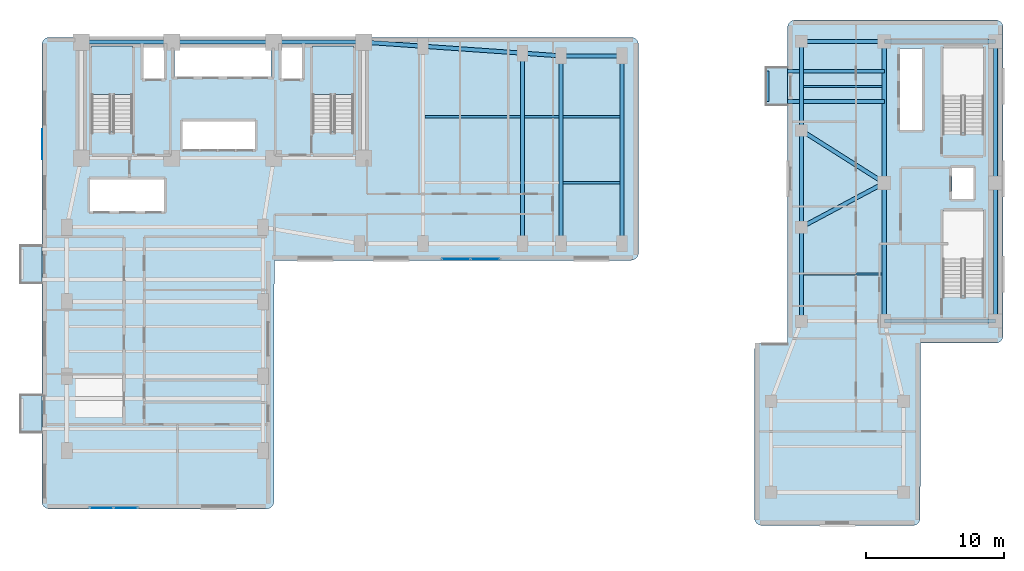
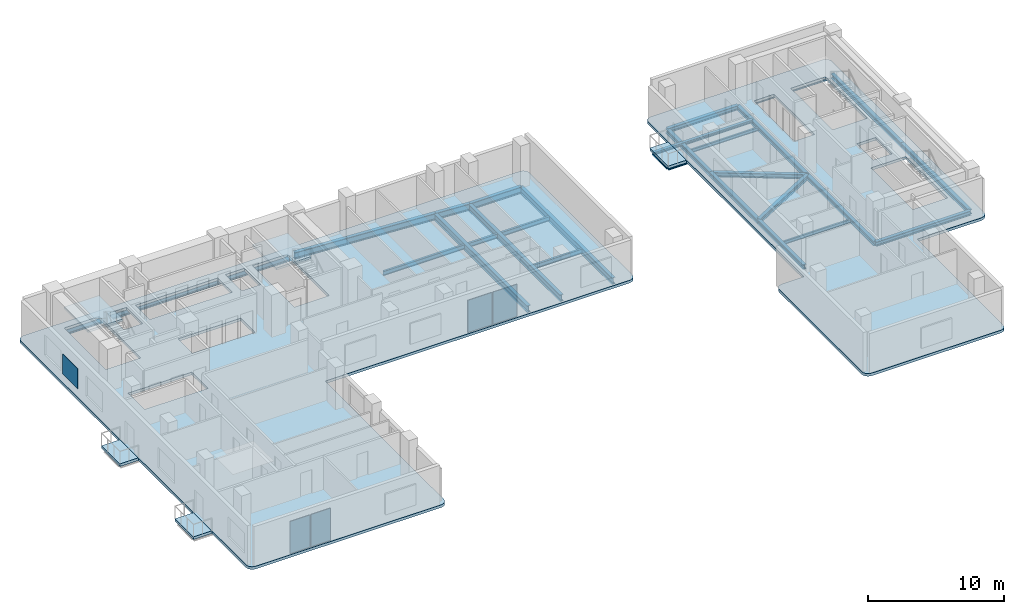
# One storey, part 7 of 16: 31 beams, 7 slabs, 5 plates, 4 elements without a shape of their own.
"""IFC4 building model written with IfcOpenShell, lengths in metres."""

from ifc_helpers import new_model, si_unit, direction, frame, origin, origin_2d, place, context, subcontext, project, spatial, polyline, rectangle, i_section, outline, extrude, material, layer, layer_set, material_profile, profile_set, type_object, element, aggregate, save


model = new_model("IFC4")

# Units and contexts
model_context = context("Model", 3, precision=1e-05, world=origin(), true_north=direction((0.0, 1.0)))
body_context = subcontext(model_context, "Body", "Model", "MODEL_VIEW")
ifc_project = project(units=[si_unit("LENGTHUNIT", "METRE"), si_unit("AREAUNIT", "SQUARE_METRE"), si_unit("VOLUMEUNIT", "CUBIC_METRE"), si_unit("PLANEANGLEUNIT", "RADIAN"), si_unit("MASSUNIT", "GRAM", prefix="KILO")], contexts=[model_context])

# Site, building, storey
site_placement = place(None, origin())
site = spatial("IfcSite", under=ifc_project, at=site_placement, CompositionType="ELEMENT")
building_placement = place(site_placement, origin())
building = spatial("IfcBuilding", under=site, at=building_placement, Name="Kuzgunbayir Cultural Tower", CompositionType="ELEMENT")
storey_placement = place(building_placement, frame((0.0, 0.0, 75.60009765625)))
storey = spatial("IfcBuildingStorey", under=building, at=storey_placement, Name="L21", CompositionType="ELEMENT", Elevation=75.60009765625)

# Beams
ifc_material_1 = material(Name="Steel S355J2", Category="steel")
ifc_material_profile_1 = material_profile(ifc_material_1, i_section(OverallWidth=0.260009765625, OverallDepth=0.260009765625, WebThickness=0.010009765625, FlangeThickness=0.017578125, FilletRadius=0.02392578125, at=origin_2d()), Name="HEB 260")
ifc_profile_set_1 = profile_set([ifc_material_profile_1], Name="Steel S355J2")
beam_type_1 = type_object("IfcBeamType", Name="BM-BAL-HEB260", PredefinedType="BEAM", material=ifc_profile_set_1)
for number, where, z_axis, x_axis, name in (
    (1, (56.159912109375, 37.89990234375, -0.3701171875), (1.0, 0.0, 0.0), (0.0, 1.0, 0.0), "L21 Companion Balcony Outrigger BAL-L21-T2W3.1"),
    (2, (56.159912109375, 40.10009765625, -0.3701171875), (1.0, 0.0, 0.0), (0.0, 1.0, 0.0), "L21 Companion Balcony Outrigger BAL-L21-T2W3.2"),
):
    element("IfcBeam", number, at=place(storey_placement, frame(where, z_axis=z_axis, x_axis=x_axis)), inside=storey, type_object=beam_type_1, Name=name, PredefinedType="BEAM", context=body_context, shape_type="SweptSolid", body=[
        extrude(i_section(OverallWidth=0.260009765625, OverallDepth=0.260009765625, WebThickness=0.010009765625, FlangeThickness=0.017578125, FilletRadius=0.02392578125, at=origin_2d()), origin(), (0.0, 0.0, 1.0), 8.440185546875),
    ])
ifc_material_profile_2 = material_profile(ifc_material_1, i_section(OverallWidth=0.199951171875, OverallDepth=0.199951171875, WebThickness=0.009033203125, FlangeThickness=0.014892578125, FilletRadius=0.01806640625, at=origin_2d()), Name="HEB 200")
ifc_profile_set_2 = profile_set([ifc_material_profile_2], Name="Steel S355J2")
beam_type_2 = type_object("IfcBeamType", Name="BM-CAN-HEB200", PredefinedType="BEAM", material=ifc_profile_set_2)
beam_1_placement = place(storey_placement, frame((56.159912109375, 37.89990234375, -0.340087890625), z_axis=(0.0, 1.0, 0.0), x_axis=(-1.0, 0.0, 0.0)))
element("IfcBeam", 3, at=beam_1_placement, inside=storey, type_object=beam_type_2, Name="L21 Companion Balcony Header BAL-L21-T2W3", PredefinedType="BEAM", context=body_context, shape_type="SweptSolid", body=[
    extrude(i_section(OverallWidth=0.199951171875, OverallDepth=0.199951171875, WebThickness=0.009033203125, FlangeThickness=0.014892578125, FilletRadius=0.01806640625, at=origin_2d()), origin(), (0.0, 0.0, 1.0), 2.2001953125),
])
ifc_material_profile_3 = material_profile(ifc_material_1, i_section(OverallWidth=0.300048828125, OverallDepth=0.39990234375, WebThickness=0.013427734375, FlangeThickness=0.02392578125, FilletRadius=0.027099609375, at=origin_2d()), Name="HEB 400")
ifc_profile_set_3 = profile_set([ifc_material_profile_3], Name="Steel S355J2")
beam_type_3 = type_object("IfcBeamType", Name="BM-EXT-HEB400", PredefinedType="BEAM", material=ifc_profile_set_3)
beam_2_placement = place(storey_placement, frame((58.60009765625, 22.0, -0.440185546875), z_axis=(0.0, 1.0, 0.0), x_axis=(-1.0, 0.0, 0.0)))
element("IfcBeam", 4, at=beam_2_placement, inside=storey, type_object=beam_type_3, Name="L21 Companion West Girder", PredefinedType="BEAM", context=body_context, shape_type="SweptSolid", body=[
    extrude(i_section(OverallWidth=0.300048828125, OverallDepth=0.39990234375, WebThickness=0.013427734375, FlangeThickness=0.02392578125, FilletRadius=0.027099609375, at=origin_2d()), origin(), (0.0, 0.0, 1.0), 6.800048828125),
])
beam_3_placement = place(storey_placement, frame((58.60009765625, 28.800048828125, -0.440185546875), z_axis=(0.0, 1.0, 0.0), x_axis=(-1.0, 0.0, 0.0)))
element("IfcBeam", 5, at=beam_3_placement, inside=storey, type_object=beam_type_3, Name="L21 Companion West Girder", PredefinedType="BEAM", context=body_context, shape_type="SweptSolid", body=[
    extrude(i_section(OverallWidth=0.300048828125, OverallDepth=0.39990234375, WebThickness=0.013427734375, FlangeThickness=0.02392578125, FilletRadius=0.027099609375, at=origin_2d()), origin(), (0.0, 0.0, 1.0), 7.0),
])
beam_4_placement = place(storey_placement, frame((58.60009765625, 35.800048828125, -0.440185546875), z_axis=(0.0, 1.0, 0.0), x_axis=(-1.0, 0.0, 0.0)))
element("IfcBeam", 6, at=beam_4_placement, inside=storey, type_object=beam_type_3, Name="L21 Companion West Girder", PredefinedType="BEAM", context=body_context, shape_type="SweptSolid", body=[
    extrude(i_section(OverallWidth=0.300048828125, OverallDepth=0.39990234375, WebThickness=0.013427734375, FlangeThickness=0.02392578125, FilletRadius=0.027099609375, at=origin_2d()), origin(), (0.0, 0.0, 1.0), 6.449951171875),
])
ifc_material_profile_4 = material_profile(ifc_material_1, i_section(OverallWidth=0.300048828125, OverallDepth=0.60009765625, WebThickness=0.015380859375, FlangeThickness=0.030029296875, FilletRadius=0.027099609375, at=origin_2d()), Name="HEB 600")
ifc_profile_set_4 = profile_set([ifc_material_profile_4], Name="Steel S355J2")
beam_type_4 = type_object("IfcBeamType", Name="BM-EXT-HEB600", PredefinedType="BEAM", material=ifc_profile_set_4)
beam_5_placement = place(storey_placement, frame((26.89990234375, 42.199951171875, -0.5400390625), z_axis=(0.997574369175, -0.069608749203, 0.0), x_axis=(0.069608749203, 0.997574369175, 0.0)))
element("IfcBeam", 7, at=beam_5_placement, inside=storey, type_object=beam_type_4, Name="L21 Wing B North Girder 1", PredefinedType="BEAM", context=body_context, shape_type="SweptSolid", body=[
    extrude(i_section(OverallWidth=0.300048828125, OverallDepth=0.60009765625, WebThickness=0.015380859375, FlangeThickness=0.030029296875, FilletRadius=0.027099609375, at=origin_2d()), origin(), (0.0, 0.0, 1.0), 4.310546875),
])
beam_6_placement = place(storey_placement, frame((31.199951171875, 41.89990234375, -0.5400390625), z_axis=(0.997597388498, -0.069278066245, 0.0), x_axis=(0.069278066245, 0.997597388498, 0.0)))
element("IfcBeam", 8, at=beam_6_placement, inside=storey, type_object=beam_type_4, Name="L21 Wing B North Girder 2", PredefinedType="BEAM", context=body_context, shape_type="SweptSolid", body=[
    extrude(i_section(OverallWidth=0.300048828125, OverallDepth=0.60009765625, WebThickness=0.015380859375, FlangeThickness=0.030029296875, FilletRadius=0.027099609375, at=origin_2d()), origin(), (0.0, 0.0, 1.0), 7.21728515625),
])
beam_7_placement = place(storey_placement, frame((38.39990234375, 41.39990234375, -0.5400390625), z_axis=(0.997460024076, -0.071228508128, 0.0), x_axis=(0.071228508128, 0.997460024076, 0.0)))
element("IfcBeam", 9, at=beam_7_placement, inside=storey, type_object=beam_type_4, Name="L21 Wing B North Girder 3", PredefinedType="BEAM", context=body_context, shape_type="SweptSolid", body=[
    extrude(i_section(OverallWidth=0.300048828125, OverallDepth=0.60009765625, WebThickness=0.015380859375, FlangeThickness=0.030029296875, FilletRadius=0.027099609375, at=origin_2d()), origin(), (0.0, 0.0, 1.0), 2.80712890625),
])
beam_8_placement = place(storey_placement, frame((41.199951171875, 41.199951171875, -0.5400390625), z_axis=(1.0, 0.0, 0.0), x_axis=(0.0, 1.0, 0.0)))
element("IfcBeam", 10, at=beam_8_placement, inside=storey, type_object=beam_type_4, Name="L21 Wing B North Girder 4", PredefinedType="BEAM", context=body_context, shape_type="SweptSolid", body=[
    extrude(i_section(OverallWidth=0.300048828125, OverallDepth=0.60009765625, WebThickness=0.015380859375, FlangeThickness=0.030029296875, FilletRadius=0.027099609375, at=origin_2d()), origin(), (0.0, 0.0, 1.0), 4.400146484375),
])
ifc_material_profile_5 = material_profile(ifc_material_1, i_section(OverallWidth=0.300048828125, OverallDepth=0.39990234375, WebThickness=0.013427734375, FlangeThickness=0.02392578125, FilletRadius=0.027099609375, at=origin_2d()), Name="HEB 400")
ifc_profile_set_5 = profile_set([ifc_material_profile_5], Name="Steel S355J2")
beam_type_5 = type_object("IfcBeamType", Name="BM-GIR-HEB400", PredefinedType="BEAM", material=ifc_profile_set_5)
beam_9_placement = place(storey_placement, frame((58.60009765625, 28.800048828125, -0.440185546875), z_axis=(0.882355922736, 0.470582644828, 0.0), x_axis=(-0.470582644828, 0.882355922736, 0.0)))
element("IfcBeam", 11, at=beam_9_placement, inside=storey, type_object=beam_type_5, Name="L21 Companion Transverse Girder 2", PredefinedType="BEAM", context=body_context, shape_type="SweptSolid", body=[
    extrude(i_section(OverallWidth=0.300048828125, OverallDepth=0.39990234375, WebThickness=0.013427734375, FlangeThickness=0.02392578125, FilletRadius=0.027099609375, at=origin_2d()), origin(), (0.0, 0.0, 1.0), 6.800048828125),
])
beam_10_placement = place(storey_placement, frame((58.60009765625, 35.800048828125, -0.440185546875), z_axis=(0.844815967829, -0.535056988088, 0.0), x_axis=(0.535056988088, 0.844815967829, 0.0)))
element("IfcBeam", 12, at=beam_10_placement, inside=storey, type_object=beam_type_5, Name="L21 Companion Transverse Girder 3", PredefinedType="BEAM", context=body_context, shape_type="SweptSolid", body=[
    extrude(i_section(OverallWidth=0.300048828125, OverallDepth=0.39990234375, WebThickness=0.013427734375, FlangeThickness=0.02392578125, FilletRadius=0.027099609375, at=origin_2d()), origin(), (0.0, 0.0, 1.0), 7.10205078125),
])
beam_11_placement = place(storey_placement, frame((58.60009765625, 42.25, -0.440185546875), z_axis=(1.0, 0.0, 0.0), x_axis=(0.0, 1.0, 0.0)))
element("IfcBeam", 13, at=beam_11_placement, inside=storey, type_object=beam_type_5, Name="L21 Companion Transverse Girder 4", PredefinedType="BEAM", context=body_context, shape_type="SweptSolid", body=[
    extrude(i_section(OverallWidth=0.300048828125, OverallDepth=0.39990234375, WebThickness=0.013427734375, FlangeThickness=0.02392578125, FilletRadius=0.027099609375, at=origin_2d()), origin(), (0.0, 0.0, 1.0), 6.0),
])
beam_12_placement = place(storey_placement, frame((64.60009765625, 22.0, -0.440185546875), z_axis=(0.0, 1.0, 0.0), x_axis=(-1.0, 0.0, 0.0)))
element("IfcBeam", 14, at=beam_12_placement, inside=storey, type_object=beam_type_5, Name="L21 Companion Core West Girder 1", PredefinedType="BEAM", context=body_context, shape_type="SweptSolid", body=[
    extrude(i_section(OverallWidth=0.300048828125, OverallDepth=0.39990234375, WebThickness=0.013427734375, FlangeThickness=0.02392578125, FilletRadius=0.027099609375, at=origin_2d()), origin(), (0.0, 0.0, 1.0), 10.0),
])
beam_13_placement = place(storey_placement, frame((64.60009765625, 32.0, -0.440185546875), z_axis=(0.0, 1.0, 0.0), x_axis=(-1.0, 0.0, 0.0)))
element("IfcBeam", 15, at=beam_13_placement, inside=storey, type_object=beam_type_5, Name="L21 Companion Core West Girder 2", PredefinedType="BEAM", context=body_context, shape_type="SweptSolid", body=[
    extrude(i_section(OverallWidth=0.300048828125, OverallDepth=0.39990234375, WebThickness=0.013427734375, FlangeThickness=0.02392578125, FilletRadius=0.027099609375, at=origin_2d()), origin(), (0.0, 0.0, 1.0), 10.25),
])
beam_14_placement = place(storey_placement, frame((72.64990234375, 22.0, -0.440185546875), z_axis=(0.0, 1.0, 0.0), x_axis=(-1.0, 0.0, 0.0)))
element("IfcBeam", 16, at=beam_14_placement, inside=storey, type_object=beam_type_5, Name="L21 Companion Core East Girder 1", PredefinedType="BEAM", context=body_context, shape_type="SweptSolid", body=[
    extrude(i_section(OverallWidth=0.300048828125, OverallDepth=0.39990234375, WebThickness=0.013427734375, FlangeThickness=0.02392578125, FilletRadius=0.027099609375, at=origin_2d()), origin(), (0.0, 0.0, 1.0), 10.0),
])
beam_15_placement = place(storey_placement, frame((72.64990234375, 32.0, -0.440185546875), z_axis=(0.0, 1.0, 0.0), x_axis=(-1.0, 0.0, 0.0)))
element("IfcBeam", 17, at=beam_15_placement, inside=storey, type_object=beam_type_5, Name="L21 Companion Core East Girder 2", PredefinedType="BEAM", context=body_context, shape_type="SweptSolid", body=[
    extrude(i_section(OverallWidth=0.300048828125, OverallDepth=0.39990234375, WebThickness=0.013427734375, FlangeThickness=0.02392578125, FilletRadius=0.027099609375, at=origin_2d()), origin(), (0.0, 0.0, 1.0), 10.25),
])
for number, where, z_axis, x_axis, name in (
    (18, (64.60009765625, 22.0, -0.440185546875), (1.0, 0.0, 0.0), (0.0, 1.0, 0.0), "L21 Companion Core South Girder"),
    (19, (64.60009765625, 42.25, -0.440185546875), (1.0, 0.0, 0.0), (0.0, 1.0, 0.0), "L21 Companion Core North Girder"),
):
    element("IfcBeam", number, at=place(storey_placement, frame(where, z_axis=z_axis, x_axis=x_axis)), inside=storey, type_object=beam_type_5, Name=name, PredefinedType="BEAM", context=body_context, shape_type="SweptSolid", body=[
        extrude(i_section(OverallWidth=0.300048828125, OverallDepth=0.39990234375, WebThickness=0.013427734375, FlangeThickness=0.02392578125, FilletRadius=0.027099609375, at=origin_2d()), origin(), (0.0, 0.0, 1.0), 8.0498046875),
    ])
ifc_material_profile_6 = material_profile(ifc_material_1, i_section(OverallWidth=0.300048828125, OverallDepth=0.60009765625, WebThickness=0.015380859375, FlangeThickness=0.030029296875, FilletRadius=0.027099609375, at=origin_2d()), Name="HEB 600")
ifc_profile_set_6 = profile_set([ifc_material_profile_6], Name="Steel S355J2")
beam_type_6 = type_object("IfcBeamType", Name="BM-GIR-HEB600", PredefinedType="BEAM", material=ifc_profile_set_6)
beam_16_placement = place(storey_placement, frame((6.449951171875, 42.199951171875, -0.5400390625), z_axis=(1.0, 0.0, 0.0), x_axis=(0.0, 1.0, 0.0)))
element("IfcBeam", 20, at=beam_16_placement, inside=storey, type_object=beam_type_6, Name="L21 Core North Girder 1", PredefinedType="BEAM", context=body_context, shape_type="SweptSolid", body=[
    extrude(i_section(OverallWidth=0.300048828125, OverallDepth=0.60009765625, WebThickness=0.015380859375, FlangeThickness=0.030029296875, FilletRadius=0.027099609375, at=origin_2d()), origin(), (0.0, 0.0, 1.0), 6.550048828125),
])
beam_17_placement = place(storey_placement, frame((13.0, 42.199951171875, -0.5400390625), z_axis=(1.0, 0.0, 0.0), x_axis=(0.0, 1.0, 0.0)))
element("IfcBeam", 21, at=beam_17_placement, inside=storey, type_object=beam_type_6, Name="L21 Core North Girder 2", PredefinedType="BEAM", context=body_context, shape_type="SweptSolid", body=[
    extrude(i_section(OverallWidth=0.300048828125, OverallDepth=0.60009765625, WebThickness=0.015380859375, FlangeThickness=0.030029296875, FilletRadius=0.027099609375, at=origin_2d()), origin(), (0.0, 0.0, 1.0), 7.39990234375),
])
beam_18_placement = place(storey_placement, frame((20.39990234375, 42.199951171875, -0.5400390625), z_axis=(1.0, 0.0, 0.0), x_axis=(0.0, 1.0, 0.0)))
element("IfcBeam", 22, at=beam_18_placement, inside=storey, type_object=beam_type_6, Name="L21 Core North Girder 3", PredefinedType="BEAM", context=body_context, shape_type="SweptSolid", body=[
    extrude(i_section(OverallWidth=0.300048828125, OverallDepth=0.60009765625, WebThickness=0.015380859375, FlangeThickness=0.030029296875, FilletRadius=0.027099609375, at=origin_2d()), origin(), (0.0, 0.0, 1.0), 6.5),
])
beam_19_placement = place(storey_placement, frame((38.39990234375, 27.60009765625, -0.5400390625), z_axis=(0.0, 1.0, 0.0), x_axis=(-1.0, 0.0, 0.0)))
element("IfcBeam", 23, at=beam_19_placement, inside=storey, type_object=beam_type_6, Name="L21 Wing B Cross Girder 38", PredefinedType="BEAM", context=body_context, shape_type="SweptSolid", body=[
    extrude(i_section(OverallWidth=0.300048828125, OverallDepth=0.60009765625, WebThickness=0.015380859375, FlangeThickness=0.030029296875, FilletRadius=0.027099609375, at=origin_2d()), origin(), (0.0, 0.0, 1.0), 13.7998046875),
])
for number, where, z_axis, x_axis, name in (
    (24, (41.199951171875, 27.60009765625, -0.5400390625), (0.0, 1.0, 0.0), (-1.0, 0.0, 0.0), "L21 Wing B Cross Girder 41"),
    (25, (45.60009765625, 27.60009765625, -0.5400390625), (0.0, 1.0, 0.0), (-1.0, 0.0, 0.0), "L21 Wing B Cross Girder 45"),
):
    element("IfcBeam", number, at=place(storey_placement, frame(where, z_axis=z_axis, x_axis=x_axis)), inside=storey, type_object=beam_type_6, Name=name, PredefinedType="BEAM", context=body_context, shape_type="SweptSolid", body=[
        extrude(i_section(OverallWidth=0.300048828125, OverallDepth=0.60009765625, WebThickness=0.015380859375, FlangeThickness=0.030029296875, FilletRadius=0.027099609375, at=origin_2d()), origin(), (0.0, 0.0, 1.0), 13.599853515625),
    ])
ifc_material_profile_7 = material_profile(ifc_material_1, i_section(OverallWidth=0.14990234375, OverallDepth=0.300048828125, WebThickness=0.007080078125, FlangeThickness=0.0107421875, FilletRadius=0.014892578125, at=origin_2d()), Name="IPE 300")
ifc_profile_set_7 = profile_set([ifc_material_profile_7], Name="Steel S355J2")
beam_type_7 = type_object("IfcBeamType", Name="BM-JST-IPE300", PredefinedType="JOIST", material=ifc_profile_set_7)
for number, where, z_axis, x_axis, name in (
    (26, (58.75, 25.39990234375, -0.39013671875), (1.0, 0.0, 0.0), (0.0, 1.0, 0.0), "L21 Companion Joist"),
    (27, (58.75, 39.0, -0.39013671875), (1.0, 0.0, 0.0), (0.0, 1.0, 0.0), "L21 Companion Joist"),
):
    element("IfcBeam", number, at=place(storey_placement, frame(where, z_axis=z_axis, x_axis=x_axis)), inside=storey, type_object=beam_type_7, Name=name, PredefinedType="JOIST", context=body_context, shape_type="SweptSolid", body=[
        extrude(i_section(OverallWidth=0.14990234375, OverallDepth=0.300048828125, WebThickness=0.007080078125, FlangeThickness=0.0107421875, FilletRadius=0.014892578125, at=origin_2d()), origin(), (0.0, 0.0, 1.0), 5.699951171875),
    ])
ifc_material_profile_8 = material_profile(ifc_material_1, i_section(OverallWidth=0.179931640625, OverallDepth=0.39990234375, WebThickness=0.008544921875, FlangeThickness=0.013427734375, FilletRadius=0.02099609375, at=origin_2d()), Name="IPE 400")
ifc_profile_set_8 = profile_set([ifc_material_profile_8], Name="Steel S355J2")
beam_type_8 = type_object("IfcBeamType", Name="BM-JST-IPE400", PredefinedType="JOIST", material=ifc_profile_set_8)
beam_20_placement = place(storey_placement, frame((31.35009765625, 36.800048828125, -0.440185546875), z_axis=(1.0, 0.0, 0.0), x_axis=(0.0, 1.0, 0.0)))
element("IfcBeam", 28, at=beam_20_placement, inside=storey, type_object=beam_type_8, Name="L21 Wing B Secondary Joist 1.2", PredefinedType="JOIST", context=body_context, shape_type="SweptSolid", body=[
    extrude(i_section(OverallWidth=0.179931640625, OverallDepth=0.39990234375, WebThickness=0.008544921875, FlangeThickness=0.013427734375, FilletRadius=0.02099609375, at=origin_2d()), origin(), (0.0, 0.0, 1.0), 6.89990234375),
])
beam_21_placement = place(storey_placement, frame((38.550048828125, 36.800048828125, -0.440185546875), z_axis=(1.0, 0.0, 0.0), x_axis=(0.0, 1.0, 0.0)))
element("IfcBeam", 29, at=beam_21_placement, inside=storey, type_object=beam_type_8, Name="L21 Wing B Secondary Joist 2.2", PredefinedType="JOIST", context=body_context, shape_type="SweptSolid", body=[
    extrude(i_section(OverallWidth=0.179931640625, OverallDepth=0.39990234375, WebThickness=0.008544921875, FlangeThickness=0.013427734375, FilletRadius=0.02099609375, at=origin_2d()), origin(), (0.0, 0.0, 1.0), 2.5),
])
for number, where, z_axis, x_axis, name in (
    (30, (41.35009765625, 32.0, -0.440185546875), (1.0, 0.0, 0.0), (0.0, 1.0, 0.0), "L21 Wing B Secondary Joist 3.1"),
    (31, (41.35009765625, 36.800048828125, -0.440185546875), (1.0, 0.0, 0.0), (0.0, 1.0, 0.0), "L21 Wing B Secondary Joist 3.2"),
):
    element("IfcBeam", number, at=place(storey_placement, frame(where, z_axis=z_axis, x_axis=x_axis)), inside=storey, type_object=beam_type_8, Name=name, PredefinedType="JOIST", context=body_context, shape_type="SweptSolid", body=[
        extrude(i_section(OverallWidth=0.179931640625, OverallDepth=0.39990234375, WebThickness=0.008544921875, FlangeThickness=0.013427734375, FilletRadius=0.02099609375, at=origin_2d()), origin(), (0.0, 0.0, 1.0), 4.099853515625),
    ])

# Curtain wall, plates
ifc_material_2 = material(Name="Anodised Aluminium Framing", Category="aluminium")
curtain_wall_type = type_object("IfcCurtainWallType", Name="CW03-T1-OFFICE", PredefinedType="NOTDEFINED", material=ifc_material_2)
curtain_wall_1_placement = place(storey_placement, origin())
curtain_wall_1 = element("IfcCurtainWall", 32, at=curtain_wall_1_placement, inside=storey, type_object=curtain_wall_type, Name="L21 Wing A South Feature Curtain Wall", PredefinedType="NOTDEFINED")
ifc_material_3 = material(Name="Solar-Control Triple Glazing", Category="glass")
ifc_layer_1 = layer(ifc_material_3, 0.035888671875)
ifc_layer_set_1 = layer_set([ifc_layer_1], Name="Solar-Control Triple Glazing")
plate_type_1 = type_object("IfcPlateType", Name="PLT-CW-GLASS-36", PredefinedType="CURTAIN_PANEL", material=ifc_layer_set_1)
plate_1_placement = place(storey_placement, frame((7.918701171875, 8.47998046875, 0.06005859375), z_axis=(0.0, 0.0, 1.0), x_axis=(1.0, 0.0, 0.0)))
plate_1 = element("IfcPlate", 33, at=plate_1_placement, type_object=plate_type_1, Name="CW03 panel 1.1", PredefinedType="CURTAIN_PANEL", context=body_context, shape_type="SweptSolid", body=[
    extrude(rectangle(XDim=1.6875, YDim=0.035888671875, at=origin_2d()), origin(), (0.0, 0.0, 1.0), 2.889892578125),
])
plate_2_placement = place(storey_placement, frame((9.68115234375, 8.47998046875, 0.06005859375), z_axis=(0.0, 0.0, 1.0), x_axis=(1.0, 0.0, 0.0)))
plate_2 = element("IfcPlate", 34, at=plate_2_placement, type_object=plate_type_1, Name="CW03 panel 2.1", PredefinedType="CURTAIN_PANEL", context=body_context, shape_type="SweptSolid", body=[
    extrude(rectangle(XDim=1.6875, YDim=0.035888671875, at=origin_2d()), origin(), (0.0, 0.0, 1.0), 2.889892578125),
])
aggregate(curtain_wall_1, [plate_1, plate_2])

curtain_wall_2_placement = place(storey_placement, origin())
curtain_wall_2 = element("IfcCurtainWall", 35, at=curtain_wall_2_placement, inside=storey, type_object=curtain_wall_type, Name="L21 Wing B South Feature Curtain Wall", PredefinedType="NOTDEFINED")
plate_3_placement = place(storey_placement, frame((33.59375, 26.47998046875, 0.06005859375), z_axis=(0.0, 0.0, 1.0), x_axis=(1.0, 0.0, 0.0)))
plate_3 = element("IfcPlate", 36, at=plate_3_placement, type_object=plate_type_1, Name="CW03 panel 1.1", PredefinedType="CURTAIN_PANEL", context=body_context, shape_type="SweptSolid", body=[
    extrude(rectangle(XDim=2.03759765625, YDim=0.035888671875, at=origin_2d()), origin(), (0.0, 0.0, 1.0), 2.889892578125),
])
plate_4_placement = place(storey_placement, frame((35.706298828125, 26.47998046875, 0.06005859375), z_axis=(0.0, 0.0, 1.0), x_axis=(1.0, 0.0, 0.0)))
plate_4 = element("IfcPlate", 37, at=plate_4_placement, type_object=plate_type_1, Name="CW03 panel 2.1", PredefinedType="CURTAIN_PANEL", context=body_context, shape_type="SweptSolid", body=[
    extrude(rectangle(XDim=2.03759765625, YDim=0.035888671875, at=origin_2d()), origin(), (0.0, 0.0, 1.0), 2.889892578125),
])
aggregate(curtain_wall_2, [plate_3, plate_4])

# Plate
ifc_material_4 = material(Name="Perforated Bronze-Anodised Aluminium", Category="aluminium")
ifc_layer_2 = layer(ifc_material_4, 0.02392578125)
ifc_layer_set_2 = layer_set([ifc_layer_2], Name="Perforated Bronze-Anodised Aluminium")
plate_type_2 = type_object("IfcPlateType", Name="PLT-SOLAR-SCREEN-14", PredefinedType="SHEET", material=ifc_layer_set_2)
plate_5_placement = place(storey_placement, frame((3.6298828125, 34.800048828125, 0.75), z_axis=(0.0, 0.0, 1.0), x_axis=(1.0, 0.0, 0.0)))
element("IfcPlate", 38, at=plate_5_placement, inside=storey, type_object=plate_type_2, Name="L21 Tower 1 Perforated Ceramic Solar Screen Panel", PredefinedType="SHEET", context=body_context, shape_type="SweptSolid", body=[
    extrude(rectangle(XDim=0.02392578125, YDim=2.199951171875, at=origin_2d()), origin(), (0.0, 0.0, 1.0), 1.800048828125),
])

# Slabs
ifc_material_5 = material(Name="Concrete C40/50", Category="concrete")
ifc_layer_3 = layer(ifc_material_5, 0.239990234375)
ifc_layer_set_3 = layer_set([ifc_layer_3], Name="Concrete C40/50")
slab_type_1 = type_object("IfcSlabType", Name="SLB-BAL-TRN", PredefinedType="FLOOR", material=ifc_layer_set_3)
slab_1_placement = place(storey_placement, frame((0.0, 0.0, -0.239990234375)))
element("IfcSlab", 39, at=slab_1_placement, inside=storey, type_object=slab_type_1, Name="L21 Projecting Limestone Balcony BAL-L21-WA1", PredefinedType="FLOOR", context=body_context, shape_type="SweptSolid", body=[
    extrude(outline(polyline([(2.0400390625, 13.949951171875), (3.60009765625, 13.949951171875), (3.60009765625, 16.64990234375), (2.0400390625, 16.64990234375), (2.0400390625, 13.949951171875)])), origin(), (0.0, 0.0, 1.0), 0.239990234375),
])
slab_2_placement = place(storey_placement, frame((0.0, 0.0, -0.239990234375)))
element("IfcSlab", 40, at=slab_2_placement, inside=storey, type_object=slab_type_1, Name="L21 Projecting Limestone Balcony BAL-L21-WA3", PredefinedType="FLOOR", context=body_context, shape_type="SweptSolid", body=[
    extrude(outline(polyline([(2.0400390625, 24.75), (3.60009765625, 24.75), (3.60009765625, 27.449951171875), (2.0400390625, 27.449951171875), (2.0400390625, 24.75)])), origin(), (0.0, 0.0, 1.0), 0.239990234375),
])
slab_3_placement = place(storey_placement, frame((0.0, 0.0, -0.239990234375)))
element("IfcSlab", 41, at=slab_3_placement, inside=storey, type_object=slab_type_1, Name="L21 Projecting Limestone Balcony BAL-L21-T2W3", PredefinedType="FLOOR", context=body_context, shape_type="SweptSolid", body=[
    extrude(outline(polyline([(56.0400390625, 37.64990234375), (57.60009765625, 37.64990234375), (57.60009765625, 40.35009765625), (56.0400390625, 40.35009765625), (56.0400390625, 37.64990234375)])), origin(), (0.0, 0.0, 1.0), 0.239990234375),
])

# Stair, slab
stair_type = type_object("IfcStairType", Name="STR-EXIT-CORE", PredefinedType="HALF_TURN_STAIR", material=ifc_material_5)
stair_1_placement = place(storey_placement, origin())
stair_1 = element("IfcStair", 42, at=stair_1_placement, inside=storey, type_object=stair_type, Name="L21 ST-1", PredefinedType="HALF_TURN_STAIR")
ifc_layer_4 = layer(ifc_material_5, 0.179931640625)
ifc_layer_set_4 = layer_set([ifc_layer_4], Name="Concrete C40/50")
slab_type_2 = type_object("IfcSlabType", Name="SLB-LANDING-180", PredefinedType="LANDING", material=ifc_layer_set_4)
slab_4_placement = place(storey_placement, frame((0.0, 0.0, 1.699951171875)))
slab_4 = element("IfcSlab", 43, at=slab_4_placement, type_object=slab_type_2, Name="ST-1 landing 1", PredefinedType="LANDING", context=body_context, shape_type="SweptSolid", body=[
    extrude(outline(polyline([(10.159912109375, 38.39990234375), (10.159912109375, 41.89990234375), (7.199951171875, 41.89990234375), (7.199951171875, 38.39990234375), (10.159912109375, 38.39990234375)])), origin(), (0.0, 0.0, 1.0), 0.199951171875),
])
aggregate(stair_1, [slab_4])

stair_2_placement = place(storey_placement, origin())
stair_2 = element("IfcStair", 44, at=stair_2_placement, inside=storey, type_object=stair_type, Name="L21 ST-2", PredefinedType="HALF_TURN_STAIR")
slab_5_placement = place(storey_placement, frame((0.0, 0.0, 1.699951171875)))
slab_5 = element("IfcSlab", 45, at=slab_5_placement, type_object=slab_type_2, Name="ST-2 landing 1", PredefinedType="LANDING", context=body_context, shape_type="SweptSolid", body=[
    extrude(outline(polyline([(26.159912109375, 38.39990234375), (26.159912109375, 41.89990234375), (23.199951171875, 41.89990234375), (23.199951171875, 38.39990234375), (26.159912109375, 38.39990234375)])), origin(), (0.0, 0.0, 1.0), 0.199951171875),
])
aggregate(stair_2, [slab_5])

# Slabs
ifc_layer_5 = layer(ifc_material_5, 0.239990234375)
ifc_layer_set_5 = layer_set([ifc_layer_5], Name="Concrete C40/50")
slab_type_3 = type_object("IfcSlabType", Name="SLB-TRN-240", PredefinedType="FLOOR", material=ifc_layer_set_5)
slab_6_placement = place(storey_placement, frame((0.0, 0.0, -0.239990234375)))
element("IfcSlab", 46, at=slab_6_placement, inside=storey, type_object=slab_type_3, Name="L21 Tower 1 Floor Slab T1-MAIN", PredefinedType="FLOOR", context=body_context, shape_type="SweptSolid", body=[
    extrude(outline(polyline([(20.39990234375, 8.949951171875), (20.389892578125, 8.840087890625), (20.360107421875, 8.739990234375), (20.31005859375, 8.639892578125), (20.239990234375, 8.56005859375), (20.159912109375, 8.489990234375), (20.06005859375, 8.43994140625), (19.9599609375, 8.409912109375), (19.85009765625, 8.39990234375), (4.14990234375, 8.39990234375), (4.0400390625, 8.409912109375), (3.93994140625, 8.43994140625), (3.840087890625, 8.489990234375), (3.760009765625, 8.56005859375), (3.68994140625, 8.639892578125), (3.639892578125, 8.739990234375), (3.610107421875, 8.840087890625), (3.60009765625, 8.949951171875), (3.60009765625, 42.0), (3.610107421875, 42.110107421875), (3.639892578125, 42.2099609375), (3.68994140625, 42.31005859375), (3.760009765625, 42.389892578125), (3.840087890625, 42.4599609375), (3.93994140625, 42.510009765625), (4.0400390625, 42.5400390625), (4.14990234375, 42.550048828125), (46.25, 42.550048828125), (46.360107421875, 42.5400390625), (46.4599609375, 42.510009765625), (46.56005859375, 42.4599609375), (46.639892578125, 42.389892578125), (46.7099609375, 42.31005859375), (46.760009765625, 42.2099609375), (46.7900390625, 42.110107421875), (46.800048828125, 42.0), (46.800048828125, 26.949951171875), (46.7900390625, 26.840087890625), (46.760009765625, 26.739990234375), (46.7099609375, 26.639892578125), (46.639892578125, 26.56005859375), (46.56005859375, 26.489990234375), (46.4599609375, 26.43994140625), (46.360107421875, 26.409912109375), (46.25, 26.39990234375), (20.429931640625, 26.39990234375), (20.39990234375, 8.949951171875)]), holes=[polyline([(7.199951171875, 35.760009765625), (7.199951171875, 41.89990234375), (10.159912109375, 41.89990234375), (10.159912109375, 35.760009765625), (7.199951171875, 35.760009765625)]), polyline([(23.199951171875, 35.760009765625), (23.199951171875, 41.89990234375), (26.159912109375, 41.89990234375), (26.159912109375, 35.760009765625), (23.199951171875, 35.760009765625)]), polyline([(13.199951171875, 39.699951171875), (13.199951171875, 41.800048828125), (20.199951171875, 41.800048828125), (20.199951171875, 39.699951171875), (13.199951171875, 39.699951171875)]), polyline([(13.75, 34.39990234375), (13.75, 36.5), (19.080078125, 36.5), (19.080078125, 34.39990234375), (13.75, 34.39990234375)]), polyline([(7.10009765625, 29.89990234375), (7.10009765625, 32.300048828125), (12.5, 32.300048828125), (12.5, 29.89990234375), (7.10009765625, 29.89990234375)]), polyline([(10.89990234375, 39.5), (10.89990234375, 41.89990234375), (12.5, 41.89990234375), (12.5, 39.5), (10.89990234375, 39.5)]), polyline([(20.89990234375, 39.5), (20.89990234375, 41.89990234375), (22.5, 41.89990234375), (22.5, 39.5), (20.89990234375, 39.5)])]), origin(), (0.0, 0.0, 1.0), 0.239990234375),
])
slab_7_placement = place(storey_placement, frame((0.0, 0.0, -0.239990234375)))
element("IfcSlab", 47, at=slab_7_placement, inside=storey, type_object=slab_type_3, Name="L21 Companion Tower 2 Floor Slab", PredefinedType="FLOOR", context=body_context, shape_type="SweptSolid", body=[
    extrude(outline(polyline([(57.60009765625, 20.39990234375), (57.60009765625, 43.25), (57.610107421875, 43.360107421875), (57.639892578125, 43.4599609375), (57.68994140625, 43.56005859375), (57.760009765625, 43.639892578125), (57.840087890625, 43.7099609375), (57.93994140625, 43.760009765625), (58.0400390625, 43.7900390625), (58.14990234375, 43.800048828125), (72.64990234375, 43.800048828125), (72.760009765625, 43.7900390625), (72.860107421875, 43.760009765625), (72.9599609375, 43.7099609375), (73.0400390625, 43.639892578125), (73.110107421875, 43.56005859375), (73.159912109375, 43.4599609375), (73.18994140625, 43.360107421875), (73.199951171875, 43.25), (73.199951171875, 20.949951171875), (73.18994140625, 20.840087890625), (73.159912109375, 20.739990234375), (73.110107421875, 20.639892578125), (73.0400390625, 20.56005859375), (72.9599609375, 20.489990234375), (72.860107421875, 20.43994140625), (72.760009765625, 20.409912109375), (72.64990234375, 20.39990234375), (67.22998046875, 20.39990234375), (67.199951171875, 7.75), (67.18994140625, 7.639892578125), (67.159912109375, 7.5400390625), (67.110107421875, 7.43994140625), (67.0400390625, 7.360107421875), (66.9599609375, 7.2900390625), (66.860107421875, 7.239990234375), (66.760009765625, 7.2099609375), (66.64990234375, 7.199951171875), (55.75, 7.199951171875), (55.639892578125, 7.2099609375), (55.5400390625, 7.239990234375), (55.43994140625, 7.2900390625), (55.360107421875, 7.360107421875), (55.2900390625, 7.43994140625), (55.239990234375, 7.5400390625), (55.2099609375, 7.639892578125), (55.199951171875, 7.75), (55.199951171875, 19.85009765625), (55.2099609375, 19.9599609375), (55.239990234375, 20.06005859375), (55.2900390625, 20.159912109375), (55.360107421875, 20.239990234375), (55.43994140625, 20.31005859375), (55.5400390625, 20.360107421875), (55.639892578125, 20.389892578125), (55.75, 20.39990234375), (57.570068359375, 20.39990234375), (57.60009765625, 20.39990234375)]), holes=[polyline([(68.840087890625, 23.860107421875), (68.840087890625, 30.0), (71.800048828125, 30.0), (71.800048828125, 23.860107421875), (68.840087890625, 23.860107421875)]), polyline([(68.840087890625, 35.659912109375), (68.840087890625, 41.800048828125), (71.800048828125, 41.800048828125), (71.800048828125, 35.659912109375), (68.840087890625, 35.659912109375)]), polyline([(65.699951171875, 35.800048828125), (65.699951171875, 41.75), (67.39990234375, 41.75), (67.39990234375, 35.800048828125), (65.699951171875, 35.800048828125)]), polyline([(69.5, 30.800048828125), (69.5, 33.199951171875), (71.10009765625, 33.199951171875), (71.10009765625, 30.800048828125), (69.5, 30.800048828125)])]), origin(), (0.0, 0.0, 1.0), 0.239990234375),
])

save(model, "model.ifc")
